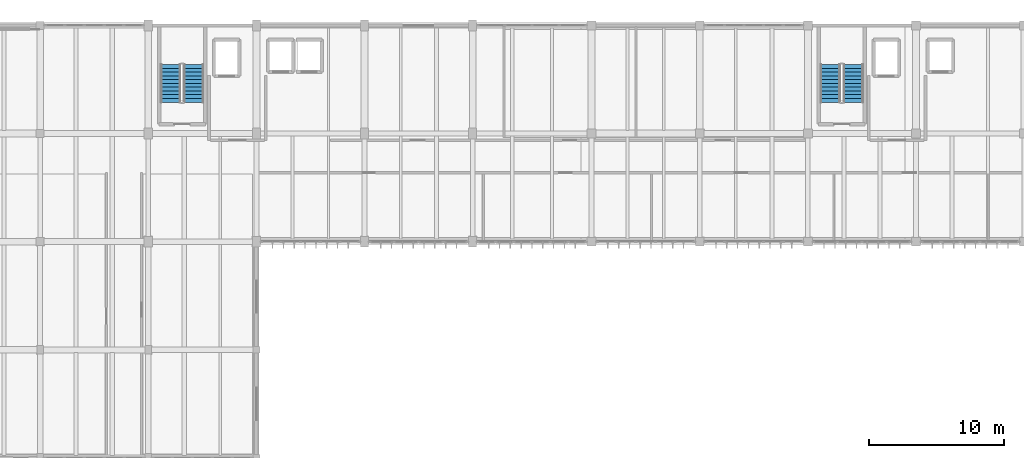
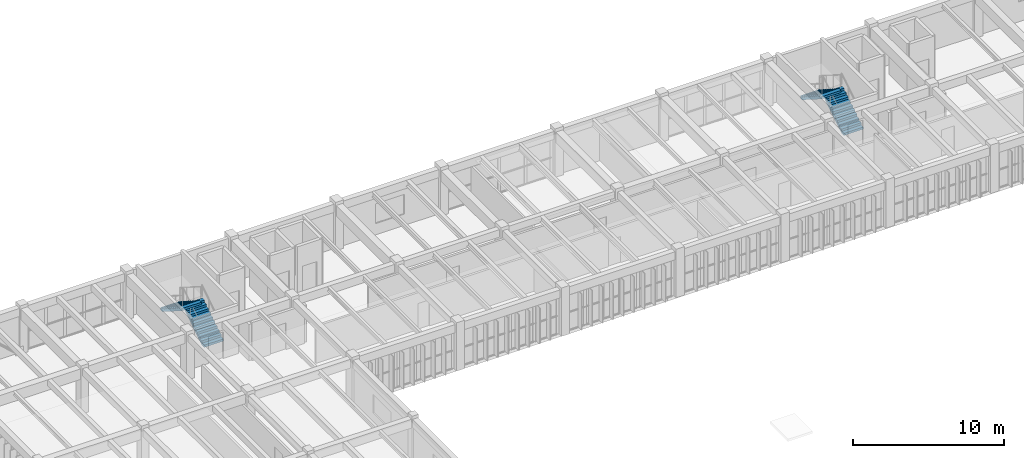
# One storey, part 23 of 31: 4 stair flights, 2 elements without a shape of their own.
"""IFC4 building model written with IfcOpenShell, lengths in metres."""

from ifc_helpers import new_model, si_unit, direction, frame, origin, place, context, subcontext, project, spatial, polyline, outline, extrude, material, type_object, element, aggregate, save


model = new_model("IFC4")

# Units and contexts
model_context = context("Model", 3, precision=1e-05, world=origin(), true_north=direction((0.0, 1.0)))
body_context = subcontext(model_context, "Body", "Model", "MODEL_VIEW")
ifc_project = project(units=[si_unit("LENGTHUNIT", "METRE"), si_unit("AREAUNIT", "SQUARE_METRE"), si_unit("VOLUMEUNIT", "CUBIC_METRE"), si_unit("PLANEANGLEUNIT", "RADIAN"), si_unit("MASSUNIT", "GRAM", prefix="KILO")], contexts=[model_context])

# Site, building, storey
site_placement = place(None, origin())
site = spatial("IfcSite", under=ifc_project, at=site_placement, CompositionType="ELEMENT")
building_placement = place(site_placement, origin())
building = spatial("IfcBuilding", under=site, at=building_placement, Name="Tlaxcora Railside Police Headquarters", CompositionType="ELEMENT")
storey_placement = place(building_placement, frame((0.0, 0.0, 18.0)))
storey = spatial("IfcBuildingStorey", under=building, at=storey_placement, Name="L04", CompositionType="ELEMENT", Elevation=18.0)

# Stair, stair flights
ifc_material = material(Name="Concrete C40/50", Category="concrete")
stair_type = type_object("IfcStairType", Name="Half-Turn Dog-Leg Stair ST-30", PredefinedType="HALF_TURN_STAIR", material=ifc_material)
stair_1_placement = place(storey_placement, origin())
stair_1 = element("IfcStair", 1, at=stair_1_placement, inside=storey, type_object=stair_type, Name="L04 ST1", PredefinedType="HALF_TURN_STAIR")
stair_flight_type = type_object("IfcStairFlightType", Name="Straight Stair Flight SF-59", PredefinedType="STRAIGHT", material=ifc_material)
stair_flight_1_placement = place(storey_placement, frame((24.56005859375, 87.110107421875, 0.0), z_axis=(0.0, 0.0, 1.0), x_axis=(0.0, 1.0, 0.0)))
stair_flight_1 = element("IfcStairFlight", 2, at=stair_flight_1_placement, type_object=stair_flight_type, Name="ST1 flight 1", NumberOfRisers=11, NumberOfTreads=10, PredefinedType="STRAIGHT", RiserHeight=0.177272727, TreadLength=0.28, context=body_context, shape_type="SweptSolid", body=[
    extrude(outline(polyline([(0.0, 0.0), (0.0, 0.17724609375), (0.280029296875, 0.17724609375), (0.280029296875, 0.3544921875), (0.56005859375, 0.3544921875), (0.56005859375, 0.53173828125), (0.840087890625, 0.53173828125), (0.840087890625, 0.708984375), (1.1201171875, 0.708984375), (1.1201171875, 0.886474609375), (1.39990234375, 0.886474609375), (1.39990234375, 1.063720703125), (1.679931640625, 1.063720703125), (1.679931640625, 1.240966796875), (1.9599609375, 1.240966796875), (1.9599609375, 1.418212890625), (2.239990234375, 1.418212890625), (2.239990234375, 1.595458984375), (2.52001953125, 1.595458984375), (2.52001953125, 1.772705078125), (2.800048828125, 1.772705078125), (2.800048828125, 1.949951171875), (2.800048828125, 1.59521484375), (0.2802734375, 0.0), (0.0, 0.0)])), frame((0.0, 0.75, 0.0), z_axis=(0.0, -1.0, 0.0), x_axis=(1.0, 0.0, 0.0)), (0.0, 0.0, 1.0), 1.5),
])
stair_flight_2_placement = place(storey_placement, frame((22.860107421875, 89.909912109375, 1.949951171875), z_axis=(0.0, 0.0, 1.0), x_axis=(0.0, -1.0, 0.0)))
stair_flight_2 = element("IfcStairFlight", 3, at=stair_flight_2_placement, type_object=stair_flight_type, Name="ST1 flight 2", NumberOfRisers=11, NumberOfTreads=10, PredefinedType="STRAIGHT", RiserHeight=0.177272727, TreadLength=0.28, context=body_context, shape_type="SweptSolid", body=[
    extrude(outline(polyline([(0.0, 0.0), (0.0, 0.17724609375), (0.280029296875, 0.17724609375), (0.280029296875, 0.3544921875), (0.56005859375, 0.3544921875), (0.56005859375, 0.53173828125), (0.840087890625, 0.53173828125), (0.840087890625, 0.708984375), (1.1201171875, 0.708984375), (1.1201171875, 0.886474609375), (1.39990234375, 0.886474609375), (1.39990234375, 1.063720703125), (1.679931640625, 1.063720703125), (1.679931640625, 1.240966796875), (1.9599609375, 1.240966796875), (1.9599609375, 1.418212890625), (2.239990234375, 1.418212890625), (2.239990234375, 1.595458984375), (2.52001953125, 1.595458984375), (2.52001953125, 1.772705078125), (2.800048828125, 1.772705078125), (2.800048828125, 1.949951171875), (2.800048828125, 1.59521484375), (0.2802734375, 0.0), (0.0, 0.0)])), frame((0.0, 0.75, 0.0), z_axis=(0.0, -1.0, 0.0), x_axis=(1.0, 0.0, 0.0)), (0.0, 0.0, 1.0), 1.5),
])
aggregate(stair_1, [stair_flight_1, stair_flight_2])

stair_2_placement = place(storey_placement, origin())
stair_2 = element("IfcStair", 4, at=stair_2_placement, inside=storey, type_object=stair_type, Name="L04 ST2", PredefinedType="HALF_TURN_STAIR")
stair_flight_3_placement = place(storey_placement, frame((73.360107421875, 87.110107421875, 0.0), z_axis=(0.0, 0.0, 1.0), x_axis=(0.0, 1.0, 0.0)))
stair_flight_3 = element("IfcStairFlight", 5, at=stair_flight_3_placement, type_object=stair_flight_type, Name="ST2 flight 1", NumberOfRisers=11, NumberOfTreads=10, PredefinedType="STRAIGHT", RiserHeight=0.177272727, TreadLength=0.28, context=body_context, shape_type="SweptSolid", body=[
    extrude(outline(polyline([(0.0, 0.0), (0.0, 0.17724609375), (0.280029296875, 0.17724609375), (0.280029296875, 0.3544921875), (0.56005859375, 0.3544921875), (0.56005859375, 0.53173828125), (0.840087890625, 0.53173828125), (0.840087890625, 0.708984375), (1.1201171875, 0.708984375), (1.1201171875, 0.886474609375), (1.39990234375, 0.886474609375), (1.39990234375, 1.063720703125), (1.679931640625, 1.063720703125), (1.679931640625, 1.240966796875), (1.9599609375, 1.240966796875), (1.9599609375, 1.418212890625), (2.239990234375, 1.418212890625), (2.239990234375, 1.595458984375), (2.52001953125, 1.595458984375), (2.52001953125, 1.772705078125), (2.800048828125, 1.772705078125), (2.800048828125, 1.949951171875), (2.800048828125, 1.59521484375), (0.2802734375, 0.0), (0.0, 0.0)])), frame((0.0, 0.75, 0.0), z_axis=(0.0, -1.0, 0.0), x_axis=(1.0, 0.0, 0.0)), (0.0, 0.0, 1.0), 1.5),
])
stair_flight_4_placement = place(storey_placement, frame((71.659912109375, 89.909912109375, 1.949951171875), z_axis=(0.0, 0.0, 1.0), x_axis=(0.0, -1.0, 0.0)))
stair_flight_4 = element("IfcStairFlight", 6, at=stair_flight_4_placement, type_object=stair_flight_type, Name="ST2 flight 2", NumberOfRisers=11, NumberOfTreads=10, PredefinedType="STRAIGHT", RiserHeight=0.177272727, TreadLength=0.28, context=body_context, shape_type="SweptSolid", body=[
    extrude(outline(polyline([(0.0, 0.0), (0.0, 0.17724609375), (0.280029296875, 0.17724609375), (0.280029296875, 0.3544921875), (0.56005859375, 0.3544921875), (0.56005859375, 0.53173828125), (0.840087890625, 0.53173828125), (0.840087890625, 0.708984375), (1.1201171875, 0.708984375), (1.1201171875, 0.886474609375), (1.39990234375, 0.886474609375), (1.39990234375, 1.063720703125), (1.679931640625, 1.063720703125), (1.679931640625, 1.240966796875), (1.9599609375, 1.240966796875), (1.9599609375, 1.418212890625), (2.239990234375, 1.418212890625), (2.239990234375, 1.595458984375), (2.52001953125, 1.595458984375), (2.52001953125, 1.772705078125), (2.800048828125, 1.772705078125), (2.800048828125, 1.949951171875), (2.800048828125, 1.59521484375), (0.2802734375, 0.0), (0.0, 0.0)])), frame((0.0, 0.75, 0.0), z_axis=(0.0, -1.0, 0.0), x_axis=(1.0, 0.0, 0.0)), (0.0, 0.0, 1.0), 1.5),
])
aggregate(stair_2, [stair_flight_3, stair_flight_4])

save(model, "model.ifc")
